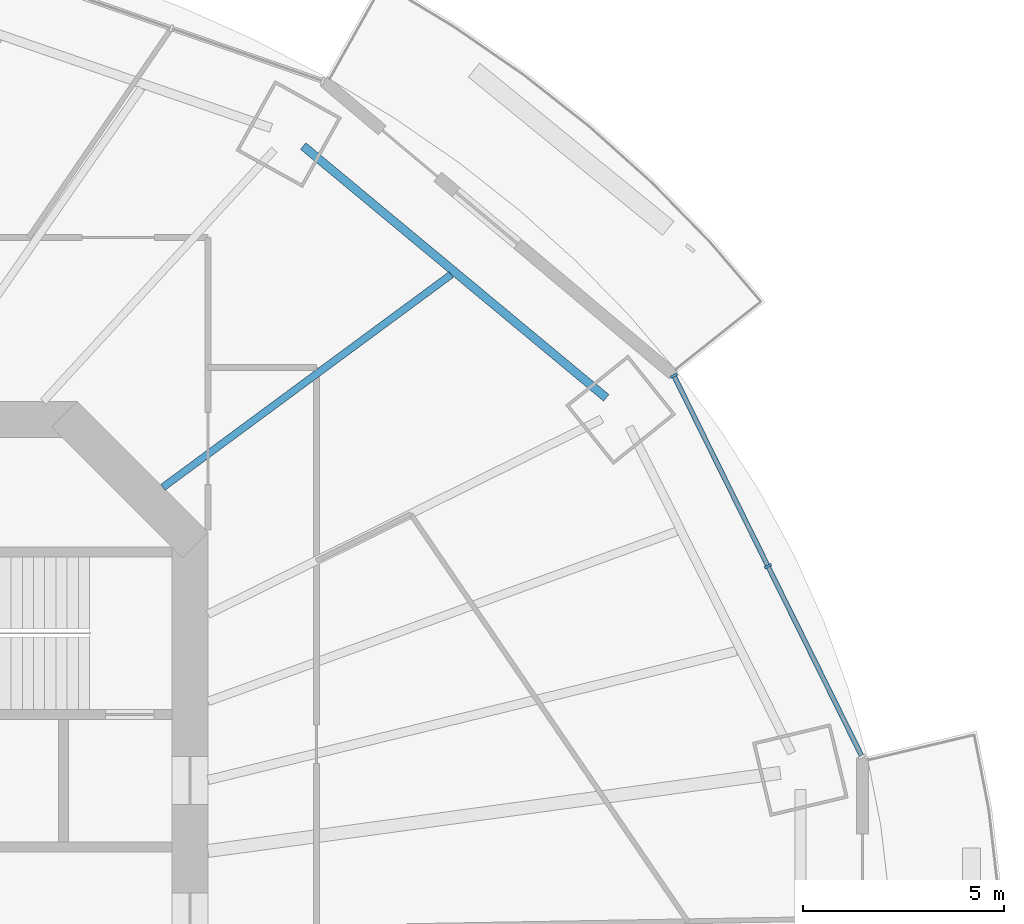
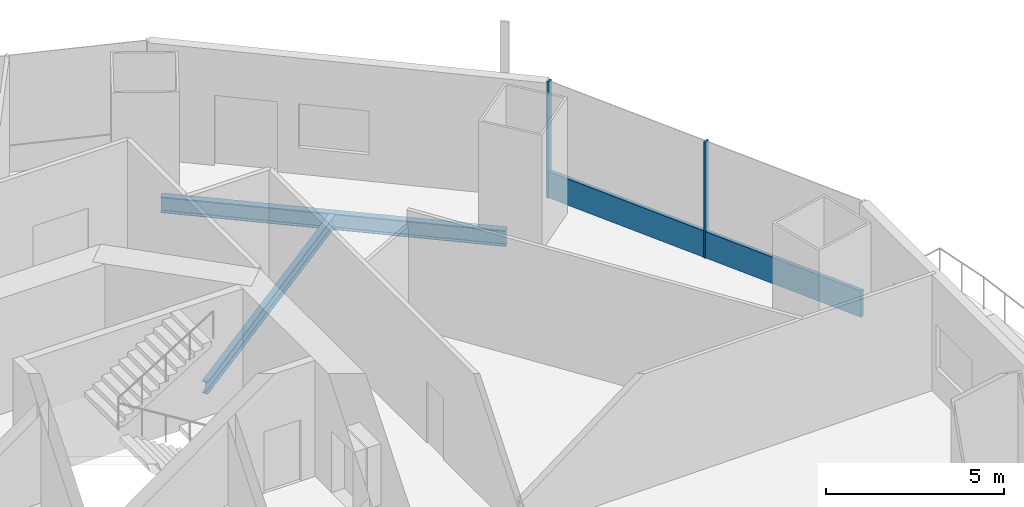
# One storey, part 8 of 21: 3 members, 2 beams, 1 element without a shape of its own.
"""IFC4 building model written with IfcOpenShell, lengths in metres."""

import ifcopenshell
import ifcopenshell.guid

model = None  # the IFC model being written
_history = None  # IfcOwnerHistory: only IFC2X3 demands one
_inside = {}  # id of a spatial element -> (the spatial element, [elements in it])
_under = {}  # id of a project, library or spatial element -> (it, [spatial elements below it])
_declared = {}  # id of a project -> (the project, [libraries it declares])
_typed = {}  # id of a type object -> (the type object, [elements of that type])
_made_of = {}  # id of a material, layer set ... -> (it, [elements and type objects made of it])


def new_model(schema):
    """Start an empty IFC model of exactly this schema.

    Asked for "IFC4X3", IfcOpenShell would pick the latest addendum, in which some entities
    have other attributes; the version numbers below select the first issue.
    IFC2X3 requires an IfcOwnerHistory on every rooted entity: one is made here for all.
    """
    global model, _history
    if schema == "IFC4X3":
        model = ifcopenshell.file(schema_version=(4, 3, 0, 0))
    else:
        model = ifcopenshell.file(schema=schema)
    _inside.clear()
    _under.clear()
    _declared.clear()
    _typed.clear()
    _made_of.clear()
    _history = None
    if model.schema == "IFC2X3":
        org = make("IfcOrganization", Name="unknown")
        user = make(
            "IfcPersonAndOrganization",
            ThePerson=make("IfcPerson", FamilyName="unknown"),
            TheOrganization=org,
        )
        app = make(
            "IfcApplication",
            ApplicationDeveloper=org,
            Version="unknown",
            ApplicationFullName="unknown",
            ApplicationIdentifier="unknown",
        )
        _history = make(
            "IfcOwnerHistory",
            OwningUser=user,
            OwningApplication=app,
            ChangeAction="ADDED",
            CreationDate=0,
        )
    return model


def make(cls, **values):
    """One entity of the class cls with the attributes given. An attribute that is None is left unset."""
    return model.create_entity(
        cls, **{name: value for name, value in values.items() if value is not None}
    )


def rooted(cls, **values):
    """An entity with a GlobalId (a new one), such as an element, a storey or a relation."""
    return make(cls, GlobalId=ifcopenshell.guid.new(), OwnerHistory=_history, **values)


def si_unit(unit_type, name, prefix=None):
    """IfcSIUnit, for example si_unit("LENGTHUNIT", "METRE", prefix="MILLI")."""
    return make("IfcSIUnit", UnitType=unit_type, Prefix=prefix, Name=name)


def assignment(units):
    """IfcUnitAssignment: the units of a project."""
    return None if units is None else make("IfcUnitAssignment", Units=units)


def point(xyz):
    """IfcCartesianPoint."""
    return None if xyz is None else make("IfcCartesianPoint", Coordinates=xyz)


def direction(xyz):
    """IfcDirection."""
    return None if xyz is None else make("IfcDirection", DirectionRatios=xyz)


def frame(location, z_axis=None, x_axis=None):
    """IfcAxis2Placement3D, a coordinate frame: its origin and axes. An axis left out is left unset."""
    return make(
        "IfcAxis2Placement3D",
        Location=point(location),
        Axis=direction(z_axis),
        RefDirection=direction(x_axis),
    )


def frame_2d(location, x_axis=None):
    """IfcAxis2Placement2D, a coordinate frame in the plane: its origin and x axis."""
    return make(
        "IfcAxis2Placement2D", Location=point(location), RefDirection=direction(x_axis)
    )


def origin():
    """The frame at (0, 0, 0) with its axes left unset."""
    return frame((0.0, 0.0, 0.0))


def origin_2d():
    """The frame at (0, 0) in the plane with its x axis left unset."""
    return frame_2d((0.0, 0.0))


def place(relative_to, where):
    """IfcLocalPlacement: puts the frame where relative to a parent placement (None: the world)."""
    return make(
        "IfcLocalPlacement", PlacementRelTo=relative_to, RelativePlacement=where
    )


def context(
    kind, dimensions, precision=None, world=None, true_north=None, identifier=None
):
    """IfcGeometricRepresentationContext, for example the 3D "Model" context."""
    return make(
        "IfcGeometricRepresentationContext",
        ContextIdentifier=identifier,
        ContextType=kind,
        CoordinateSpaceDimension=dimensions,
        Precision=precision,
        WorldCoordinateSystem=world,
        TrueNorth=true_north,
    )


def subcontext(parent, identifier, kind, view, scale=None):
    """IfcGeometricRepresentationSubContext, for example "Body" below "Model"."""
    return make(
        "IfcGeometricRepresentationSubContext",
        ContextIdentifier=identifier,
        ContextType=kind,
        ParentContext=parent,
        TargetScale=scale,
        TargetView=view,
    )


def project(units=None, contexts=None):
    """IfcProject with its units and contexts."""
    return rooted(
        "IfcProject",
        Name="project",
        RepresentationContexts=contexts,
        UnitsInContext=assignment(units),
    )


def spatial(cls, under=None, at=None, **own):
    """A site, building, storey or space (cls), placed at a placement, below another one or the project."""
    s = rooted(cls, ObjectPlacement=at, **own)
    if under is not None:
        _under.setdefault(under.id(), (under, []))[1].append(s)
    return s


def profile(cls, at=None, kind="AREA", **sizes):
    """A parametric profile (cls). Its sizes go by their IFC names, for example OverallWidth=200.0."""
    return make(cls, ProfileType=kind, Position=at, **sizes)


def rectangle(**sizes):
    """IfcRectangleProfileDef."""
    return profile("IfcRectangleProfileDef", **sizes)


def i_section(**sizes):
    """IfcIShapeProfileDef."""
    return profile("IfcIShapeProfileDef", **sizes)


def extrude(swept, where, along, depth):
    """IfcExtrudedAreaSolid: the profile swept, set in the frame where, extruded along a direction by depth."""
    return make(
        "IfcExtrudedAreaSolid",
        SweptArea=swept,
        Position=where,
        ExtrudedDirection=direction(along),
        Depth=depth,
    )


def shape(context_of_items, identifier, shape_type, items):
    """IfcShapeRepresentation: the items that make up one representation, for example the "Body"."""
    return make(
        "IfcShapeRepresentation",
        ContextOfItems=context_of_items,
        RepresentationIdentifier=identifier,
        RepresentationType=shape_type,
        Items=items,
    )


def material(Name=None, Category=None):
    """IfcMaterial."""
    return make("IfcMaterial", Name=Name, Category=Category)


def material_profile(
    of_material, cross_section, Name=None, Category=None, Priority=None
):
    """IfcMaterialProfile: a cross section and its material."""
    return make(
        "IfcMaterialProfile",
        Name=Name,
        Material=of_material,
        Profile=cross_section,
        Priority=Priority,
        Category=Category,
    )


def profile_set(profiles, Name=None, composite=None):
    """IfcMaterialProfileSet."""
    return make(
        "IfcMaterialProfileSet",
        Name=Name,
        MaterialProfiles=profiles,
        CompositeProfile=composite,
    )


def made_of(thing, what):
    """Note that an element or type object is made of a material, layer set ...; save() writes the relation."""
    if what is not None:
        _made_of.setdefault(what.id(), (what, []))[1].append(thing)
    return thing


def type_object(cls, material=None, **own):
    """A type object (cls), such as IfcWallType, which elements share."""
    return made_of(rooted(cls, **own), material)


def element(
    cls,
    number,
    at=None,
    inside=None,
    cuts=None,
    type_object=None,
    material=None,
    context=None,
    identifier="Body",
    shape_type=None,
    held_by="IfcProductDefinitionShape",
    body=None,
    shapes=None,
    **own,
):
    """One element of the class cls, such as IfcWall. Its Tag is "e" and its number.

    at: its placement. inside: the storey or other place that contains it. cuts: it is an
    opening in that element (IfcRelVoidsElement). A single representation is given by context,
    identifier, shape_type and body (its items); several are given by shapes. held_by: the class
    of the entity that holds the representations. save() writes the other relations.
    """
    e = rooted(cls, Tag="e%d" % number, ObjectPlacement=at, **own)
    if body is not None:
        shapes = [shape(context, identifier, shape_type, body)]
    if shapes is not None:
        e.Representation = make(held_by, Representations=shapes)
    if inside is not None:
        _inside.setdefault(inside.id(), (inside, []))[1].append(e)
    if cuts is not None:
        rooted(
            "IfcRelVoidsElement", RelatingBuildingElement=cuts, RelatedOpeningElement=e
        )
    if type_object is not None:
        _typed.setdefault(type_object.id(), (type_object, []))[1].append(e)
    return made_of(e, material)


def aggregate(whole, parts):
    """IfcRelAggregates: a whole, such as a stair, and the parts it consists of."""
    return rooted("IfcRelAggregates", RelatingObject=whole, RelatedObjects=parts)


def save(model, path):
    """Write the relations noted so far, then the file.

    IfcRelAggregates (storeys below a building ...), IfcRelContainedInSpatialStructure (elements
    in a storey), IfcRelDefinesByType, IfcRelAssociatesMaterial and IfcRelDeclares: one each for
    every whole, place, type object, material and project.
    """
    for whole, parts in _under.values():
        aggregate(whole, parts)
    for where, things in _inside.values():
        rooted(
            "IfcRelContainedInSpatialStructure",
            RelatedElements=things,
            RelatingStructure=where,
        )
    for kind, things in _typed.values():
        rooted("IfcRelDefinesByType", RelatedObjects=things, RelatingType=kind)
    for what, things in _made_of.values():
        rooted("IfcRelAssociatesMaterial", RelatedObjects=things, RelatingMaterial=what)
    for by, libraries in _declared.values():
        rooted("IfcRelDeclares", RelatingContext=by, RelatedDefinitions=libraries)
    model.write(path)


model = new_model("IFC4")

# Units and contexts
model_context = context("Model", 3, precision=1e-05, world=origin(), true_north=direction((0.0, 1.0)))
body_context = subcontext(model_context, "Body", "Model", "MODEL_VIEW")
ifc_project = project(units=[si_unit("LENGTHUNIT", "METRE"), si_unit("AREAUNIT", "SQUARE_METRE"), si_unit("VOLUMEUNIT", "CUBIC_METRE"), si_unit("PLANEANGLEUNIT", "RADIAN"), si_unit("MASSUNIT", "GRAM", prefix="KILO")], contexts=[model_context])

# Site, building, storey
site_placement = place(None, origin())
site = spatial("IfcSite", under=ifc_project, at=site_placement, CompositionType="ELEMENT")
building_placement = place(site_placement, origin())
building = spatial("IfcBuilding", under=site, at=building_placement, Name="Marenthal Gate Tower", CompositionType="ELEMENT")
storey_placement = place(building_placement, frame((0.0, 0.0, 206.699951171875)))
storey = spatial("IfcBuildingStorey", under=building, at=storey_placement, Name="L45", CompositionType="ELEMENT", Elevation=206.699951171875)

# Curtain wall, members
ifc_material_1 = material(Name="Aluminium and glass", Category="aluminium")
curtain_wall_type = type_object("IfcCurtainWallType", Name="Curtain wall typical mid", PredefinedType="NOTDEFINED", material=ifc_material_1)
curtain_wall_placement = place(storey_placement, origin())
curtain_wall = element("IfcCurtainWall", 1, at=curtain_wall_placement, inside=storey, type_object=curtain_wall_type, Name="Curtain wall L45 bay 1", PredefinedType="NOTDEFINED")
ifc_material_2 = material(Name="Aluminium", Category="aluminium")
ifc_material_profile_1 = material_profile(ifc_material_2, rectangle(XDim=0.179931640625, YDim=0.06005859375, at=origin_2d()), Name="60x180 aluminium mullion")
ifc_profile_set_1 = profile_set([ifc_material_profile_1], Name="Aluminium")
member_type_1 = type_object("IfcMemberType", Name="Mullion 60x180 typical mid", PredefinedType="MULLION", material=ifc_profile_set_1)
member_1_placement = place(storey_placement, frame((30.408203125, 9.34423828125, 0.0), z_axis=(0.0, 0.0, 1.0), x_axis=(-0.896715617309, -0.442607164057, 0.0)))
member_1 = element("IfcMember", 2, at=member_1_placement, type_object=member_type_1, Name="Mullion L45 bay 1.2", PredefinedType="MULLION", context=body_context, shape_type="SweptSolid", body=[
    extrude(rectangle(XDim=0.179931640625, YDim=0.06005859375, at=origin_2d()), origin(), (0.0, 0.0, 1.0), 3.969970703125),
])
member_2_placement = place(storey_placement, frame((28.064453125, 14.093017578125, 0.0), z_axis=(0.0, 0.0, 1.0), x_axis=(-0.896715617309, -0.442607164057, 0.0)))
member_2 = element("IfcMember", 3, at=member_2_placement, type_object=member_type_1, Name="Mullion L45 bay 1.3", PredefinedType="MULLION", context=body_context, shape_type="SweptSolid", body=[
    extrude(rectangle(XDim=0.179931640625, YDim=0.06005859375, at=origin_2d()), origin(), (0.0, 0.0, 1.0), 3.969970703125),
])
ifc_material_3 = material(Name="Aluminium", Category="aluminium")
ifc_material_profile_2 = material_profile(ifc_material_3, rectangle(XDim=0.1201171875, YDim=0.89990234375, at=origin_2d()), Name="120x900 aluminium transom")
ifc_profile_set_2 = profile_set([ifc_material_profile_2], Name="Aluminium")
member_type_2 = type_object("IfcMemberType", Name="Transom 120x900 typical mid", PredefinedType="USERDEFINED", material=ifc_profile_set_2)
member_3_placement = place(storey_placement, frame((32.73876953125, 4.622802734375, 0.449951171875), z_axis=(-0.442617393568, 0.896710568082, 0.0), x_axis=(-0.896710568082, -0.442617393568, 0.0)))
member_3 = element("IfcMember", 4, at=member_3_placement, type_object=member_type_2, Name="Transom L45 bay 1", ObjectType="TRANSOM", PredefinedType="USERDEFINED", context=body_context, shape_type="SweptSolid", body=[
    extrude(rectangle(XDim=0.1201171875, YDim=0.89990234375, at=origin_2d()), origin(), (0.0, 0.0, 1.0), 10.53076171875),
])
aggregate(curtain_wall, [member_1, member_2, member_3])

# Beams
ifc_material_4 = material(Name="Steel S355", Category="steel")
ifc_material_profile_3 = material_profile(ifc_material_4, i_section(OverallWidth=0.180908203125, OverallDepth=0.4169921875, WebThickness=0.010986328125, FlangeThickness=0.018310546875, FilletRadius=0.01025390625, at=origin_2d()), Name="W410X85")
ifc_profile_set_3 = profile_set([ifc_material_profile_3], Name="Steel S355")
beam_type_1 = type_object("IfcBeamType", Name="W410X85 beam", PredefinedType="BEAM", material=ifc_profile_set_3)
beam_1_placement = place(storey_placement, frame((22.51220703125, 16.6142578125, -0.388427734375), z_axis=(-0.804607661672, -0.593806795834, 0.0), x_axis=(0.593806795834, -0.804607661672, 0.0)))
element("IfcBeam", 5, at=beam_1_placement, inside=storey, type_object=beam_type_1, Name="BM-L45-19", PredefinedType="BEAM", context=body_context, shape_type="SweptSolid", body=[
    extrude(i_section(OverallWidth=0.180908203125, OverallDepth=0.4169921875, WebThickness=0.010986328125, FlangeThickness=0.018310546875, FilletRadius=0.01025390625, at=origin_2d()), origin(), (0.0, 0.0, 1.0), 8.931640625),
])
ifc_material_5 = material(Name="Steel S355", Category="steel")
ifc_material_profile_4 = material_profile(ifc_material_5, i_section(OverallWidth=0.2119140625, OverallDepth=0.5439453125, WebThickness=0.01318359375, FlangeThickness=0.021240234375, FilletRadius=0.0126953125, at=origin_2d()), Name="W530X123")
ifc_profile_set_4 = profile_set([ifc_material_profile_4], Name="Steel S355")
beam_type_2 = type_object("IfcBeamType", Name="W530X123 beam", PredefinedType="BEAM", material=ifc_profile_set_4)
beam_2_placement = place(storey_placement, frame((26.37646484375, 13.5419921875, -0.451904296875), z_axis=(-0.769206538699, 0.639000235386, 0.0), x_axis=(-0.639000235386, -0.769206538699, 0.0)))
element("IfcBeam", 6, at=beam_2_placement, inside=storey, type_object=beam_type_2, Name="BM-L45-42", PredefinedType="BEAM", context=body_context, shape_type="SweptSolid", body=[
    extrude(i_section(OverallWidth=0.2119140625, OverallDepth=0.5439453125, WebThickness=0.01318359375, FlangeThickness=0.021240234375, FilletRadius=0.0126953125, at=origin_2d()), origin(), (0.0, 0.0, 1.0), 9.8212890625),
])

save(model, "model.ifc")
